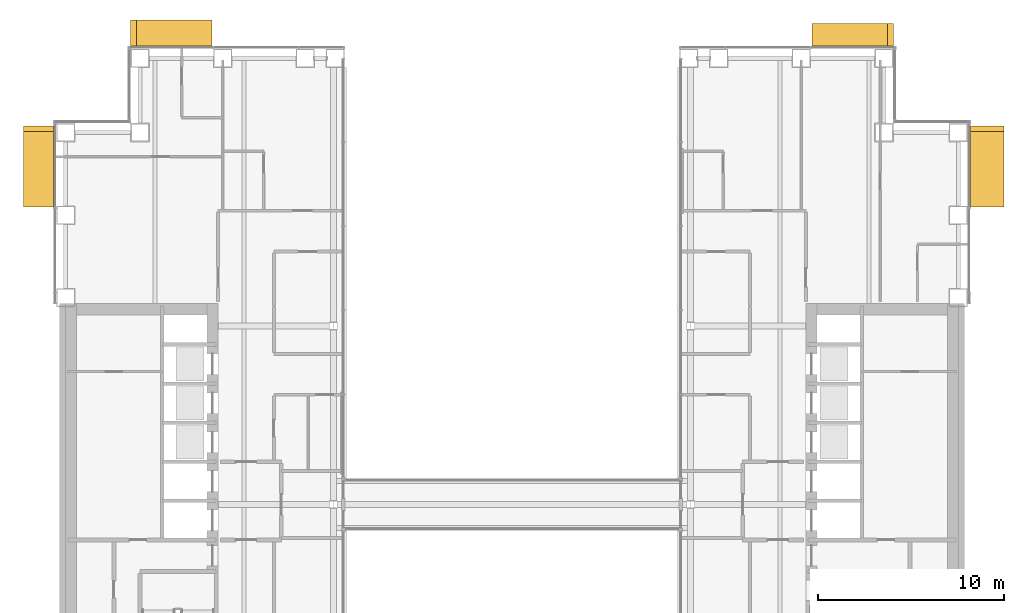
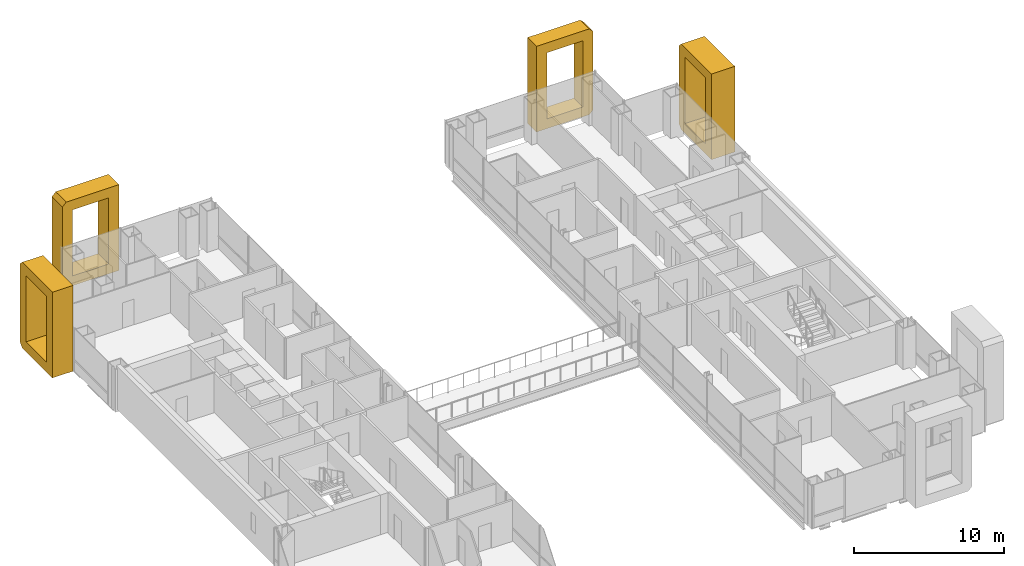
# One storey, part 20 of 21: 4 coverings.
"""IFC4 building model written with IfcOpenShell, lengths in metres."""

from ifc_helpers import new_model, si_unit, direction, frame, origin, place, context, subcontext, project, spatial, polyline, outline, extrude, material, type_object, element, save


model = new_model("IFC4")

# Units and contexts
model_context = context("Model", 3, precision=1e-05, world=origin(), true_north=direction((0.0, 1.0)))
body_context = subcontext(model_context, "Body", "Model", "MODEL_VIEW")
ifc_project = project(units=[si_unit("LENGTHUNIT", "METRE"), si_unit("AREAUNIT", "SQUARE_METRE"), si_unit("VOLUMEUNIT", "CUBIC_METRE"), si_unit("PLANEANGLEUNIT", "RADIAN"), si_unit("MASSUNIT", "GRAM", prefix="KILO")], contexts=[model_context])

# Site, building, storey
site_placement = place(None, origin())
site = spatial("IfcSite", under=ifc_project, at=site_placement, CompositionType="ELEMENT")
building_placement = place(site_placement, origin())
building = spatial("IfcBuilding", under=site, at=building_placement, Name="Cobrizo Arcos Hotel Tower", CompositionType="ELEMENT")
storey_placement = place(building_placement, frame((0.0, 0.0, 74.0)))
storey = spatial("IfcBuildingStorey", under=building, at=storey_placement, Name="L17", CompositionType="ELEMENT", Elevation=74.0)

# Coverings
ifc_material = material(Name="Aluminium 6063-T6 anodised bronze", Category="aluminium")
covering_type_1 = type_object("IfcCoveringType", Name="FIN-F 1200", PredefinedType="CLADDING", material=ifc_material)
covering_1_placement = place(storey_placement, frame((20.5, 24.64990234375, 0.0), z_axis=(0.0, 1.0, 0.0), x_axis=(-1.0, 0.0, 0.0)))
element("IfcCovering", 1, at=covering_1_placement, inside=storey, type_object=covering_type_1, Name="Fin frame 17", PredefinedType="CLADDING", context=body_context, shape_type="SweptSolid", body=[
    extrude(outline(polyline([(0.0, 0.300048828125), (0.300048828125, 0.0), (4.375, 0.0), (4.375, 7.0), (0.300048828125, 7.0), (0.0, 6.699951171875), (0.0, 0.300048828125)]), holes=[polyline([(3.574951171875, 0.800048828125), (0.800048828125, 0.800048828125), (0.800048828125, 6.199951171875), (3.574951171875, 6.199951171875), (3.574951171875, 0.800048828125)])]), origin(), (0.0, 0.0, 1.0), 1.2001953125),
])
covering_type_2 = type_object("IfcCoveringType", Name="FIN-F 1400", PredefinedType="CLADDING", material=ifc_material)
covering_2_placement = place(storey_placement, frame((-16.125, 24.64990234375, 0.0), z_axis=(0.0, 1.0, 0.0), x_axis=(-1.0, 0.0, 0.0)))
element("IfcCovering", 2, at=covering_2_placement, inside=storey, type_object=covering_type_2, Name="Fin frame 18", PredefinedType="CLADDING", context=body_context, shape_type="SweptSolid", body=[
    extrude(outline(polyline([(0.0, 7.0), (0.0, 0.0), (4.074951171875, 0.0), (4.375, 0.300048828125), (4.375, 6.699951171875), (4.074951171875, 7.0), (0.0, 7.0)]), holes=[polyline([(3.574951171875, 0.800048828125), (0.800048828125, 0.800048828125), (0.800048828125, 6.199951171875), (3.574951171875, 6.199951171875), (3.574951171875, 0.800048828125)])]), origin(), (0.0, 0.0, 1.0), 1.400146484375),
])
covering_type_3 = type_object("IfcCoveringType", Name="FIN-F 1600", PredefinedType="CLADDING", material=ifc_material)
covering_3_placement = place(storey_placement, frame((-24.64990234375, 20.35009765625, 0.0), z_axis=(-1.0, 0.0, 0.0), x_axis=(0.0, -1.0, 0.0)))
element("IfcCovering", 3, at=covering_3_placement, inside=storey, type_object=covering_type_3, Name="Fin frame 81", PredefinedType="CLADDING", context=body_context, shape_type="SweptSolid", body=[
    extrude(outline(polyline([(0.0, 0.300048828125), (0.300048828125, 0.0), (4.341796875, 0.0), (4.341796875, 7.0), (0.300048828125, 7.0), (0.0, 6.699951171875), (0.0, 0.300048828125)]), holes=[polyline([(3.541748046875, 0.800048828125), (0.800048828125, 0.800048828125), (0.800048828125, 6.199951171875), (3.541748046875, 6.199951171875), (3.541748046875, 0.800048828125)])]), origin(), (0.0, 0.0, 1.0), 1.60009765625),
])
covering_type_4 = type_object("IfcCoveringType", Name="FIN-F 1800", PredefinedType="CLADDING", material=ifc_material)
covering_4_placement = place(storey_placement, frame((24.64990234375, 16.00830078125, 0.0), z_axis=(1.0, 0.0, 0.0), x_axis=(0.0, 1.0, 0.0)))
element("IfcCovering", 4, at=covering_4_placement, inside=storey, type_object=covering_type_4, Name="Fin frame 40", PredefinedType="CLADDING", context=body_context, shape_type="SweptSolid", body=[
    extrude(outline(polyline([(0.0, 7.0), (0.0, 0.0), (4.041748046875, 0.0), (4.341796875, 0.300048828125), (4.341796875, 6.699951171875), (4.041748046875, 7.0), (0.0, 7.0)]), holes=[polyline([(3.541748046875, 0.800048828125), (0.800048828125, 0.800048828125), (0.800048828125, 6.199951171875), (3.541748046875, 6.199951171875), (3.541748046875, 0.800048828125)])]), origin(), (0.0, 0.0, 1.0), 1.800048828125),
])

save(model, "model.ifc")
